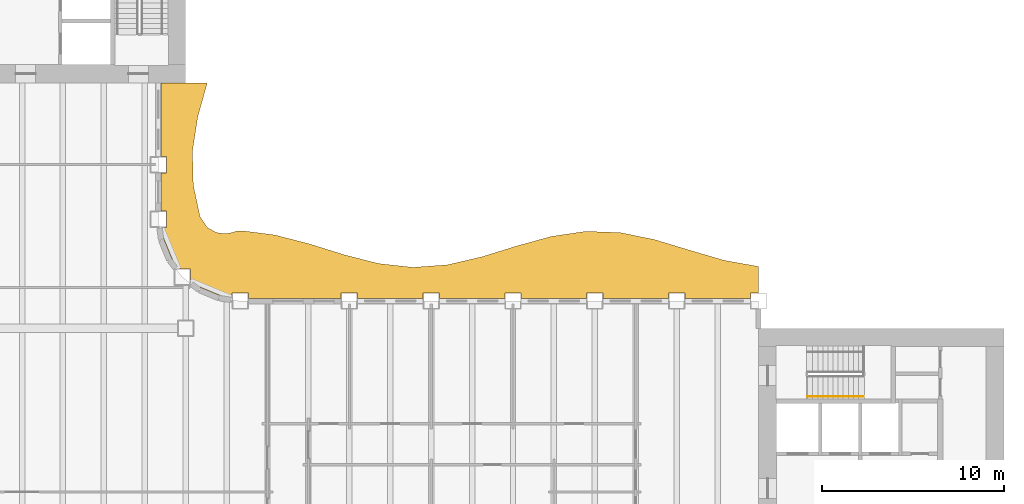
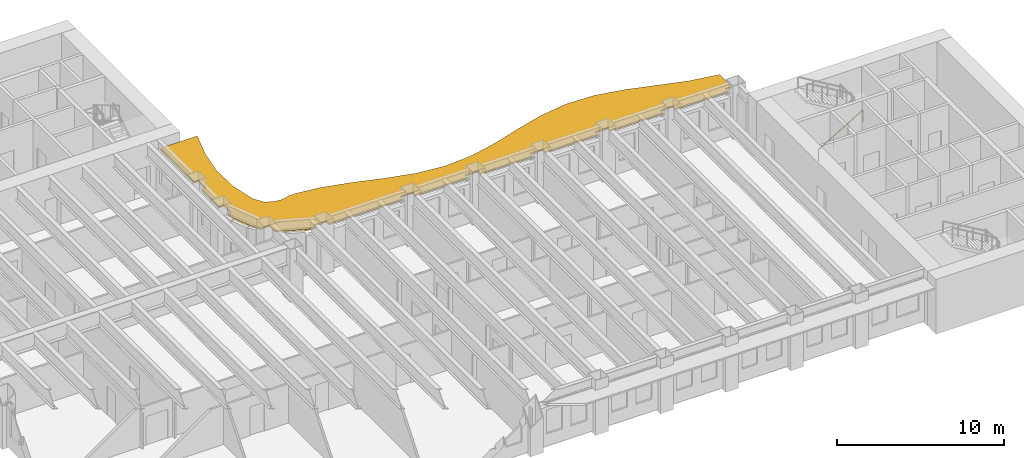
# One storey, part 14 of 16: 1 railing, 1 shading device.
"""IFC4 building model written with IfcOpenShell, lengths in metres."""

from ifc_helpers import new_model, si_unit, direction, frame, origin, origin_2d, place, context, subcontext, project, spatial, polyline, rectangle, outline, extrude, material, layer, layer_set, type_object, element, save


model = new_model("IFC4")

# Units and contexts
model_context = context("Model", 3, precision=1e-05, world=origin(), true_north=direction((0.0, 1.0)))
body_context = subcontext(model_context, "Body", "Model", "MODEL_VIEW")
ifc_project = project(units=[si_unit("LENGTHUNIT", "METRE"), si_unit("AREAUNIT", "SQUARE_METRE"), si_unit("VOLUMEUNIT", "CUBIC_METRE"), si_unit("PLANEANGLEUNIT", "RADIAN"), si_unit("MASSUNIT", "GRAM", prefix="KILO")], contexts=[model_context])

# Site, building, storey
site_placement = place(None, origin())
site = spatial("IfcSite", under=ifc_project, at=site_placement, CompositionType="ELEMENT")
building_placement = place(site_placement, origin())
building = spatial("IfcBuilding", under=site, at=building_placement, Name="Sennacour Bend Tower", CompositionType="ELEMENT")
storey_placement = place(building_placement, frame((0.0, 0.0, 171.0)))
storey = spatial("IfcBuildingStorey", under=building, at=storey_placement, Name="L39", CompositionType="ELEMENT", Elevation=171.0)

# Railing
ifc_material_1 = material(Name="Stainless steel", Category="steel")
railing_type = type_object("IfcRailingType", Name="RL-HANDRAIL-900", PredefinedType="HANDRAIL", material=ifc_material_1)
railing_placement = place(storey_placement, frame((56.699951171875, 18.75, 0.166748046875)))
element("IfcRailing", 1, at=railing_placement, inside=storey, type_object=railing_type, Name="L39 SA2 stair handrail 1", PredefinedType="HANDRAIL", context=body_context, shape_type="SweptSolid", body=[
    extrude(rectangle(XDim=0.048095703125, YDim=0.048095703125, at=origin_2d()), frame((0.0, 0.0, 0.8759765625), z_axis=(0.859308565015, 0.0, 0.511457515432), x_axis=(0.0, 1.0, 0.0)), (0.0, 0.0, 1.0), 3.58447265625),
    extrude(rectangle(XDim=0.0419921875, YDim=0.0419921875, at=origin_2d()), origin(), (0.0, 0.0, 1.0), 0.851806640625),
    extrude(rectangle(XDim=0.0419921875, YDim=0.0419921875, at=origin_2d()), frame((1.026611328125, 0.0, 0.611083984375)), (0.0, 0.0, 1.0), 0.851806640625),
    extrude(rectangle(XDim=0.0419921875, YDim=0.0419921875, at=origin_2d()), frame((2.053466796875, 0.0, 1.22216796875)), (0.0, 0.0, 1.0), 0.851806640625),
    extrude(rectangle(XDim=0.0419921875, YDim=0.0419921875, at=origin_2d()), frame((3.080078125, 0.0, 1.833251953125)), (0.0, 0.0, 1.0), 0.851806640625),
])

# Shading device
ifc_material_2 = material(Name="Bronze anodised aluminium", Category="aluminium")
ifc_layer = layer(ifc_material_2, 0.1201171875, Name="Bronze anodised aluminium", Category="aluminium")
ifc_layer_set = layer_set([ifc_layer], Name="Bronze anodised aluminium")
shading_device_type = type_object("IfcShadingDeviceType", Name="SUNSHADE BAND WAVE", PredefinedType="USERDEFINED", material=ifc_layer_set)
shading_device_placement = place(storey_placement, frame((0.0, 0.0, 3.029052734375)))
element("IfcShadingDevice", 2, at=shading_device_placement, inside=storey, type_object=shading_device_type, Name="Sunshade band L39 concave faces", ObjectType="SUNSHADE", PredefinedType="USERDEFINED", context=body_context, shape_type="SweptSolid", body=[
    extrude(outline(polyline([(53.550048828125, 24.14990234375), (49.949951171875, 24.14990234375), (49.949951171875, 24.449951171875), (49.050048828125, 24.449951171875), (49.050048828125, 24.14990234375), (45.449951171875, 24.14990234375), (45.449951171875, 24.449951171875), (44.550048828125, 24.449951171875), (44.550048828125, 24.14990234375), (40.949951171875, 24.14990234375), (40.949951171875, 24.449951171875), (40.050048828125, 24.449951171875), (40.050048828125, 24.14990234375), (36.449951171875, 24.14990234375), (36.449951171875, 24.449951171875), (35.550048828125, 24.449951171875), (35.550048828125, 24.14990234375), (31.949951171875, 24.14990234375), (31.949951171875, 24.449951171875), (31.050048828125, 24.449951171875), (31.050048828125, 24.14990234375), (25.949951171875, 24.14990234375), (25.949951171875, 24.449951171875), (25.050048828125, 24.449951171875), (25.050048828125, 24.21044921875), (24.37451171875, 24.299560546875), (23.32568359375, 24.73388671875), (22.76806640625, 25.16162109375), (22.76806640625, 25.76806640625), (22.16162109375, 25.76806640625), (21.73388671875, 26.32568359375), (21.299560546875, 27.37451171875), (21.21044921875, 28.050048828125), (21.449951171875, 28.050048828125), (21.449951171875, 28.949951171875), (21.14990234375, 28.949951171875), (21.14990234375, 31.050048828125), (21.449951171875, 31.050048828125), (21.449951171875, 31.949951171875), (21.14990234375, 31.949951171875), (21.14990234375, 36.0), (23.6884765625, 36.0), (23.1630859375, 34.125), (22.873779296875, 32.25), (22.920166015625, 30.375), (23.285888671875, 28.64990234375), (23.711181640625, 28.020751953125), (24.2197265625, 27.7607421875), (24.70458984375, 27.70458984375), (25.079833984375, 27.772216796875), (25.328125, 27.85888671875), (25.752197265625, 27.847900390625), (27.39990234375, 27.634033203125), (29.300048828125, 27.143798828125), (31.199951171875, 26.550048828125), (33.10009765625, 26.06201171875), (35.0, 25.851806640625), (36.89990234375, 25.99365234375), (38.800048828125, 26.4375), (40.699951171875, 27.02685546875), (42.60009765625, 27.5537109375), (44.5, 27.83251953125), (46.39990234375, 27.764892578125), (48.300048828125, 27.37451171875), (50.199951171875, 26.79931640625), (52.10009765625, 26.241943359375), (54.0, 25.89892578125), (54.0, 24.449951171875), (53.550048828125, 24.449951171875), (53.550048828125, 24.14990234375)])), origin(), (0.0, 0.0, 1.0), 0.119873046875),
])

save(model, "model.ifc")
